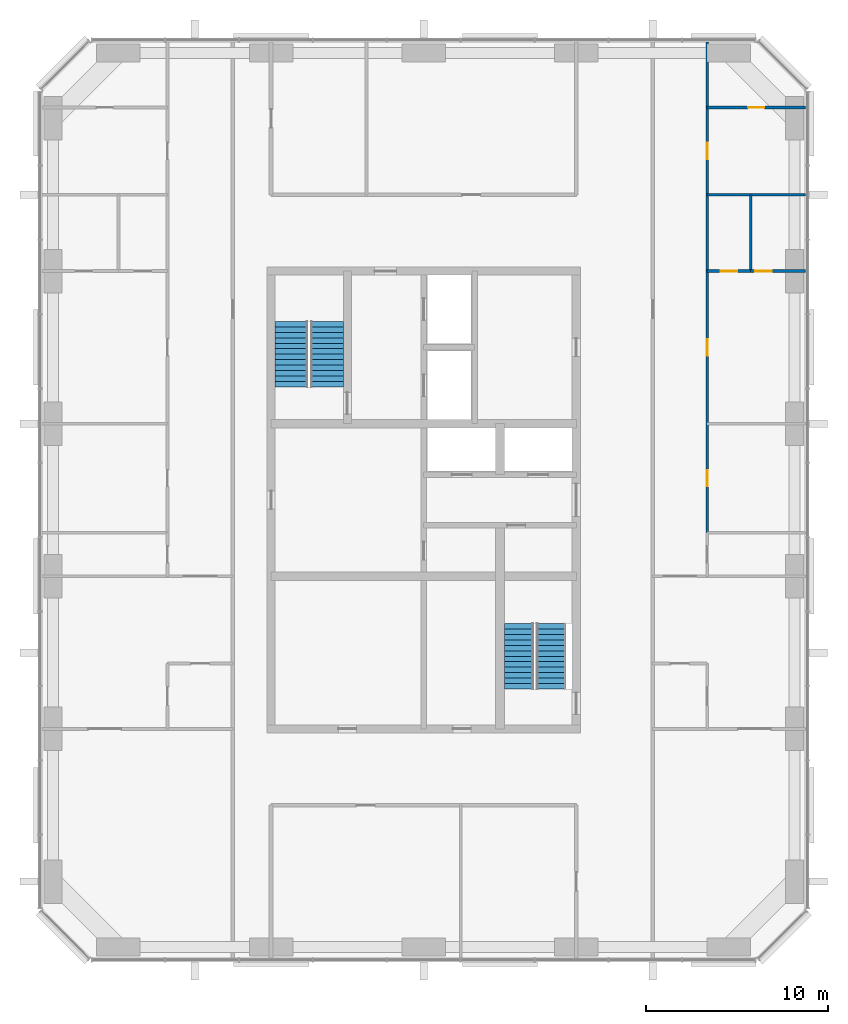
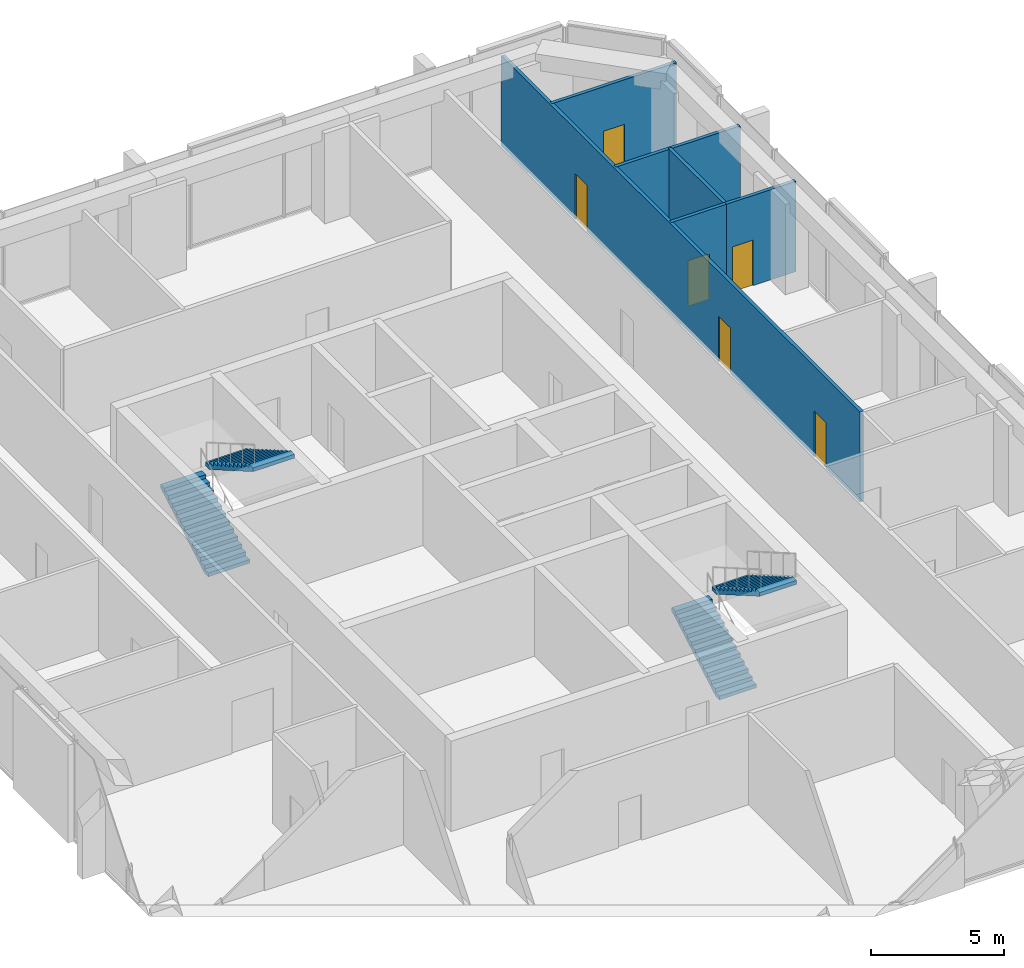
# One storey, part 9 of 10: 6 doors, 6 walls, 4 stair flights, 6 openings, 2 elements without a shape of their own.
"""IFC4 building model written with IfcOpenShell, lengths in metres."""

from ifc_helpers import new_model, si_unit, direction, frame, frame_2d, origin, place, context, subcontext, project, spatial, polyline, rectangle, outline, extrude, material, layer, layer_set, type_object, element, fill, aggregate, save


model = new_model("IFC4")

# Units and contexts
model_context = context("Model", 3, precision=1e-05, world=origin(), true_north=direction((0.0, 1.0)))
body_context = subcontext(model_context, "Body", "Model", "MODEL_VIEW")
ifc_project = project(units=[si_unit("LENGTHUNIT", "METRE"), si_unit("AREAUNIT", "SQUARE_METRE"), si_unit("VOLUMEUNIT", "CUBIC_METRE"), si_unit("PLANEANGLEUNIT", "RADIAN"), si_unit("MASSUNIT", "GRAM", prefix="KILO")], contexts=[model_context])

# Site, building, storey
site_placement = place(None, origin())
site = spatial("IfcSite", under=ifc_project, at=site_placement, CompositionType="ELEMENT")
building_placement = place(site_placement, origin())
building = spatial("IfcBuilding", under=site, at=building_placement, Name="Dunama Terrace Hotel", CompositionType="ELEMENT")
storey_placement = place(building_placement, frame((0.0, 0.0, 289.10009765625)))
storey = spatial("IfcBuildingStorey", under=building, at=storey_placement, Name="L74", CompositionType="ELEMENT", Elevation=289.10009765625)

# Wall, opening, door
ifc_material_1 = material(Name="Gypsum board partition", Category="masonry")
ifc_layer_1 = layer(ifc_material_1, 0.14990234375)
ifc_layer_set_1 = layer_set([ifc_layer_1], Name="Bathroom partition 150")
wall_type_1 = type_object("IfcWallType", Name="Bathroom partition 150", PredefinedType="PARTITIONING", material=ifc_layer_set_1)
wall_1_placement = place(storey_placement, frame((51.60009765625, 42.0, 0.0), z_axis=(0.0, 0.0, 1.0), x_axis=(1.0, 0.0, 0.0)))
wall_1 = element("IfcWall", 1, at=wall_1_placement, inside=storey, type_object=wall_type_1, Name="Bathroom partition 150 L74", PredefinedType="PARTITIONING", context=body_context, shape_type="SweptSolid", body=[
    extrude(rectangle(XDim=3.017822265625, YDim=0.14990234375, at=frame_2d((1.5087890625, 0.0))), origin(), (0.0, 0.0, 1.0), 4.14990234375),
])
opening_1_placement = place(wall_1_placement, frame((0.25, 0.0, 0.0)))
opening_1 = element("IfcOpeningElement", 2, at=opening_1_placement, cuts=wall_1, Name="Opening L74-035", PredefinedType="OPENING", context=body_context, shape_type="SweptSolid", body=[
    extrude(rectangle(XDim=0.89990234375, YDim=2.10009765625, at=frame_2d((0.449951171875, 1.050048828125))), frame((0.0, 0.0849609375, 0.0), z_axis=(0.0, -1.0, 0.0), x_axis=(1.0, 0.0, 0.0)), (0.0, 0.0, 1.0), 0.169921875),
])
ifc_material_2 = material(Name="Timber door with steel frame", Category="steel")
door_type_1 = type_object("IfcDoorType", Name="WC door 900", OperationType="SINGLE_SWING_LEFT", PredefinedType="DOOR", material=ifc_material_2)
door_1_placement = place(opening_1_placement, origin())
door_1 = element("IfcDoor", 3, at=door_1_placement, inside=storey, type_object=door_type_1, Name="Door to royal suite bathroom L74-035, type D6", OperationType="SINGLE_SWING_RIGHT", OverallHeight=2.10009765625, OverallWidth=0.89990234375, PredefinedType="DOOR", context=body_context, shape_type="SweptSolid", body=[
    extrude(rectangle(XDim=0.89990234375, YDim=2.10009765625, at=frame_2d((0.449951171875, 1.050048828125))), frame((0.0, 0.02490234375, 0.0), z_axis=(0.0, -1.0, 0.0), x_axis=(1.0, 0.0, 0.0)), (0.0, 0.0, 1.0), 0.050048828125),
])
fill(opening_1, door_1)

wall_2_placement = place(storey_placement, frame((49.199951171875, 51.0, 0.0), z_axis=(0.0, 0.0, 1.0), x_axis=(1.0, 0.0, 0.0)))
wall_2 = element("IfcWall", 4, at=wall_2_placement, inside=storey, type_object=wall_type_1, Name="Bathroom partition 150 L74", PredefinedType="PARTITIONING", context=body_context, shape_type="SweptSolid", body=[
    extrude(rectangle(XDim=5.41796875, YDim=0.14990234375, at=frame_2d((2.708984375, 0.0))), origin(), (0.0, 0.0, 1.0), 4.14990234375),
])
opening_2_placement = place(wall_2_placement, frame((2.25, 0.0, 0.0)))
opening_2 = element("IfcOpeningElement", 5, at=opening_2_placement, cuts=wall_2, Name="Opening L74-038", PredefinedType="OPENING", context=body_context, shape_type="SweptSolid", body=[
    extrude(rectangle(XDim=0.89990234375, YDim=2.10009765625, at=frame_2d((0.449951171875, 1.050048828125))), frame((0.0, 0.0849609375, 0.0), z_axis=(0.0, -1.0, 0.0), x_axis=(1.0, 0.0, 0.0)), (0.0, 0.0, 1.0), 0.169921875),
])
door_2_placement = place(opening_2_placement, origin())
door_2 = element("IfcDoor", 6, at=door_2_placement, inside=storey, type_object=door_type_1, Name="Door to royal suite second bathroom L74-038, type D6", OperationType="SINGLE_SWING_RIGHT", OverallHeight=2.10009765625, OverallWidth=0.89990234375, PredefinedType="DOOR", context=body_context, shape_type="SweptSolid", body=[
    extrude(rectangle(XDim=0.89990234375, YDim=2.10009765625, at=frame_2d((0.449951171875, 1.050048828125))), frame((0.0, 0.02490234375, 0.0), z_axis=(0.0, -1.0, 0.0), x_axis=(1.0, 0.0, 0.0)), (0.0, 0.0, 1.0), 0.050048828125),
])
fill(opening_2, door_2)

# Wall, openings, doors
ifc_material_3 = material(Name="Gypsum board partition", Category="masonry")
ifc_layer_2 = layer(ifc_material_3, 0.14990234375)
ifc_layer_set_2 = layer_set([ifc_layer_2], Name="Room partition 150")
wall_type_2 = type_object("IfcWallType", Name="Room partition 150", PredefinedType="PARTITIONING", material=ifc_layer_set_2)
wall_3_placement = place(storey_placement, frame((49.199951171875, 27.60009765625, 0.0), z_axis=(0.0, 0.0, 1.0), x_axis=(0.0, 1.0, 0.0)))
wall_3 = element("IfcWall", 7, at=wall_3_placement, inside=storey, type_object=wall_type_2, Name="Room partition 150 L74", PredefinedType="PARTITIONING", context=body_context, shape_type="SweptSolid", body=[
    extrude(rectangle(XDim=27.017822265625, YDim=0.14990234375, at=frame_2d((13.5087890625, 0.0))), origin(), (0.0, 0.0, 1.0), 4.14990234375),
])
opening_3_placement = place(wall_3_placement, frame((2.550048828125, 0.0, 0.0)))
opening_3 = element("IfcOpeningElement", 8, at=opening_3_placement, cuts=wall_3, Name="Opening L74-033", PredefinedType="OPENING", context=body_context, shape_type="SweptSolid", body=[
    extrude(rectangle(XDim=0.89990234375, YDim=2.10009765625, at=frame_2d((0.449951171875, 1.050048828125))), frame((0.0, 0.0849609375, 0.0), z_axis=(0.0, -1.0, 0.0), x_axis=(1.0, 0.0, 0.0)), (0.0, 0.0, 1.0), 0.169921875),
])
opening_4_placement = place(wall_3_placement, frame((9.75, 0.0, 0.0)))
opening_4 = element("IfcOpeningElement", 9, at=opening_4_placement, cuts=wall_3, Name="Opening L74-034", PredefinedType="OPENING", context=body_context, shape_type="SweptSolid", body=[
    extrude(rectangle(XDim=0.89990234375, YDim=2.10009765625, at=frame_2d((0.449951171875, 1.050048828125))), frame((0.0, 0.0849609375, 0.0), z_axis=(0.0, -1.0, 0.0), x_axis=(1.0, 0.0, 0.0)), (0.0, 0.0, 1.0), 0.169921875),
])
opening_5_placement = place(wall_3_placement, frame((20.550048828125, 0.0, 0.0)))
opening_5 = element("IfcOpeningElement", 10, at=opening_5_placement, cuts=wall_3, Name="Opening L74-037", PredefinedType="OPENING", context=body_context, shape_type="SweptSolid", body=[
    extrude(rectangle(XDim=0.89990234375, YDim=2.10009765625, at=frame_2d((0.449951171875, 1.050048828125))), frame((0.0, 0.0849609375, 0.0), z_axis=(0.0, -1.0, 0.0), x_axis=(1.0, 0.0, 0.0)), (0.0, 0.0, 1.0), 0.169921875),
])
ifc_material_4 = material(Name="Timber door with steel frame", Category="steel")
door_type_2 = type_object("IfcDoorType", Name="Suite internal door 900", OperationType="SINGLE_SWING_LEFT", PredefinedType="DOOR", material=ifc_material_4)
door_3_placement = place(opening_3_placement, frame((0.89990234375, 0.0, 0.0), z_axis=(0.0, 0.0, 1.0), x_axis=(-1.0, 0.0, 0.0)))
door_3 = element("IfcDoor", 11, at=door_3_placement, inside=storey, type_object=door_type_2, Name="Door to royal suite fitness room L74-033, type D16", OperationType="SINGLE_SWING_LEFT", OverallHeight=2.10009765625, OverallWidth=0.89990234375, PredefinedType="DOOR", context=body_context, shape_type="SweptSolid", body=[
    extrude(rectangle(XDim=0.89990234375, YDim=2.10009765625, at=frame_2d((0.449951171875, 1.050048828125))), frame((0.0, 0.025146484375, 0.0), z_axis=(0.0, -1.0, 0.0), x_axis=(1.0, 0.0, 0.0)), (0.0, 0.0, 1.0), 0.050048828125),
])
fill(opening_3, door_3)
door_4_placement = place(opening_4_placement, frame((0.89990234375, 0.0, 0.0), z_axis=(0.0, 0.0, 1.0), x_axis=(-1.0, 0.0, 0.0)))
door_4 = element("IfcDoor", 12, at=door_4_placement, inside=storey, type_object=door_type_2, Name="Door to royal suite bedroom L74-034, type D16", OperationType="SINGLE_SWING_RIGHT", OverallHeight=2.10009765625, OverallWidth=0.89990234375, PredefinedType="DOOR", context=body_context, shape_type="SweptSolid", body=[
    extrude(rectangle(XDim=0.89990234375, YDim=2.10009765625, at=frame_2d((0.449951171875, 1.050048828125))), frame((0.0, 0.025146484375, 0.0), z_axis=(0.0, -1.0, 0.0), x_axis=(1.0, 0.0, 0.0)), (0.0, 0.0, 1.0), 0.050048828125),
])
fill(opening_4, door_4)
door_5_placement = place(opening_5_placement, frame((0.89990234375, 0.0, 0.0), z_axis=(0.0, 0.0, 1.0), x_axis=(-1.0, 0.0, 0.0)))
door_5 = element("IfcDoor", 13, at=door_5_placement, inside=storey, type_object=door_type_2, Name="Door to royal suite second bedroom L74-037, type D16", OperationType="SINGLE_SWING_LEFT", OverallHeight=2.10009765625, OverallWidth=0.89990234375, PredefinedType="DOOR", context=body_context, shape_type="SweptSolid", body=[
    extrude(rectangle(XDim=0.89990234375, YDim=2.10009765625, at=frame_2d((0.449951171875, 1.050048828125))), frame((0.0, 0.025146484375, 0.0), z_axis=(0.0, -1.0, 0.0), x_axis=(1.0, 0.0, 0.0)), (0.0, 0.0, 1.0), 0.050048828125),
])
fill(opening_5, door_5)

# Wall
wall_4_placement = place(storey_placement, frame((51.60009765625, 42.0, 0.0), z_axis=(0.0, 0.0, 1.0), x_axis=(0.0, 1.0, 0.0)))
element("IfcWall", 14, at=wall_4_placement, inside=storey, type_object=wall_type_2, Name="Room partition 150 L74", PredefinedType="PARTITIONING", context=body_context, shape_type="SweptSolid", body=[
    extrude(rectangle(XDim=4.199951171875, YDim=0.14990234375, at=frame_2d((2.10009765625, 0.0))), origin(), (0.0, 0.0, 1.0), 4.14990234375),
])

# Wall, opening, door
wall_5_placement = place(storey_placement, frame((49.199951171875, 42.0, 0.0), z_axis=(0.0, 0.0, 1.0), x_axis=(1.0, 0.0, 0.0)))
wall_5 = element("IfcWall", 15, at=wall_5_placement, inside=storey, type_object=wall_type_2, Name="Room partition 150 L74", PredefinedType="PARTITIONING", context=body_context, shape_type="SweptSolid", body=[
    extrude(rectangle(XDim=2.400146484375, YDim=0.14990234375, at=frame_2d((1.2001953125, 0.0))), origin(), (0.0, 0.0, 1.0), 4.14990234375),
])
opening_6_placement = place(wall_5_placement, frame((0.75, 0.0, 0.0)))
opening_6 = element("IfcOpeningElement", 16, at=opening_6_placement, cuts=wall_5, Name="Opening L74-036", PredefinedType="OPENING", context=body_context, shape_type="SweptSolid", body=[
    extrude(rectangle(XDim=0.89990234375, YDim=2.10009765625, at=frame_2d((0.449951171875, 1.050048828125))), frame((0.0, 0.0849609375, 0.0), z_axis=(0.0, -1.0, 0.0), x_axis=(1.0, 0.0, 0.0)), (0.0, 0.0, 1.0), 0.169921875),
])
door_6_placement = place(opening_6_placement, origin())
door_6 = element("IfcDoor", 17, at=door_6_placement, inside=storey, type_object=door_type_2, Name="Door to royal suite dressing room L74-036, type D16", OperationType="SINGLE_SWING_LEFT", OverallHeight=2.10009765625, OverallWidth=0.89990234375, PredefinedType="DOOR", context=body_context, shape_type="SweptSolid", body=[
    extrude(rectangle(XDim=0.89990234375, YDim=2.10009765625, at=frame_2d((0.449951171875, 1.050048828125))), frame((0.0, 0.02490234375, 0.0), z_axis=(0.0, -1.0, 0.0), x_axis=(1.0, 0.0, 0.0)), (0.0, 0.0, 1.0), 0.050048828125),
])
fill(opening_6, door_6)

# Wall
wall_6_placement = place(storey_placement, frame((49.199951171875, 46.199951171875, 0.0), z_axis=(0.0, 0.0, 1.0), x_axis=(1.0, 0.0, 0.0)))
element("IfcWall", 18, at=wall_6_placement, inside=storey, type_object=wall_type_2, Name="Room partition 150 L74", PredefinedType="PARTITIONING", context=body_context, shape_type="SweptSolid", body=[
    extrude(rectangle(XDim=5.41796875, YDim=0.14990234375, at=frame_2d((2.708984375, 0.0))), origin(), (0.0, 0.0, 1.0), 4.14990234375),
])

# Stair, stair flights
ifc_material_5 = material(Name="Concrete C40/50", Category="concrete")
stair_type_1 = type_object("IfcStairType", Name="Stair ST1-4500-1800", PredefinedType="HALF_TURN_STAIR", material=ifc_material_5)
stair_1_placement = place(storey_placement, origin())
stair_1 = element("IfcStair", 19, at=stair_1_placement, inside=storey, type_object=stair_type_1, Name="Stair ST1 L74", PredefinedType="HALF_TURN_STAIR")
ifc_material_6 = material(Name="Concrete C40/50", Category="concrete")
stair_flight_type_1 = type_object("IfcStairFlightType", Name="Stair flight ST1-4500-1800", PredefinedType="STRAIGHT", material=ifc_material_6)
stair_flight_1_placement = place(storey_placement, frame((26.324951171875, 35.625, 0.0), z_axis=(0.0, 0.0, 1.0), x_axis=(0.0, 1.0, 0.0)))
stair_flight_1 = element("IfcStairFlight", 20, at=stair_flight_1_placement, type_object=stair_flight_type_1, Name="ST1 flight 1", NumberOfRisers=13, NumberOfTreads=12, PredefinedType="STRAIGHT", RiserHeight=0.173076923, TreadLength=0.3, context=body_context, shape_type="SweptSolid", body=[
    extrude(outline(polyline([(0.0, 0.0), (0.0, 0.173095703125), (0.300048828125, 0.173095703125), (0.300048828125, 0.34619140625), (0.60009765625, 0.34619140625), (0.60009765625, 0.519287109375), (0.89990234375, 0.519287109375), (0.89990234375, 0.6923828125), (1.199951171875, 0.6923828125), (1.199951171875, 0.865478515625), (1.5, 0.865478515625), (1.5, 1.03857421875), (1.800048828125, 1.03857421875), (1.800048828125, 1.21142578125), (2.10009765625, 1.21142578125), (2.10009765625, 1.384521484375), (2.39990234375, 1.384521484375), (2.39990234375, 1.5576171875), (2.699951171875, 1.5576171875), (2.699951171875, 1.730712890625), (3.0, 1.730712890625), (3.0, 1.90380859375), (3.300048828125, 1.90380859375), (3.300048828125, 2.076904296875), (3.60009765625, 2.076904296875), (3.60009765625, 2.25), (3.60009765625, 1.90380859375), (0.300048828125, 0.0), (0.0, 0.0)])), frame((0.0, 0.89990234375, 0.0), z_axis=(0.0, -1.0, 0.0), x_axis=(1.0, 0.0, 0.0)), (0.0, 0.0, 1.0), 1.800048828125),
])
stair_flight_2_placement = place(storey_placement, frame((28.27490234375, 39.22509765625, 2.25), z_axis=(0.0, 0.0, 1.0), x_axis=(0.0, -1.0, 0.0)))
stair_flight_2 = element("IfcStairFlight", 21, at=stair_flight_2_placement, type_object=stair_flight_type_1, Name="ST1 flight 2", NumberOfRisers=13, NumberOfTreads=12, PredefinedType="STRAIGHT", RiserHeight=0.173076923, TreadLength=0.3, context=body_context, shape_type="SweptSolid", body=[
    extrude(outline(polyline([(0.0, 0.0), (0.0, 0.173095703125), (0.300048828125, 0.173095703125), (0.300048828125, 0.34619140625), (0.60009765625, 0.34619140625), (0.60009765625, 0.519287109375), (0.89990234375, 0.519287109375), (0.89990234375, 0.6923828125), (1.199951171875, 0.6923828125), (1.199951171875, 0.865478515625), (1.5, 0.865478515625), (1.5, 1.03857421875), (1.800048828125, 1.03857421875), (1.800048828125, 1.21142578125), (2.10009765625, 1.21142578125), (2.10009765625, 1.384521484375), (2.39990234375, 1.384521484375), (2.39990234375, 1.5576171875), (2.699951171875, 1.5576171875), (2.699951171875, 1.730712890625), (3.0, 1.730712890625), (3.0, 1.90380859375), (3.300048828125, 1.90380859375), (3.300048828125, 2.076904296875), (3.60009765625, 2.076904296875), (3.60009765625, 2.25), (3.60009765625, 1.90380859375), (0.300048828125, 0.0), (0.0, 0.0)])), frame((0.0, 0.89990234375, 0.0), z_axis=(0.0, -1.0, 0.0), x_axis=(1.0, 0.0, 0.0)), (0.0, 0.0, 1.0), 1.800048828125),
])
aggregate(stair_1, [stair_flight_1, stair_flight_2])

ifc_material_7 = material(Name="Concrete C40/50", Category="concrete")
stair_type_2 = type_object("IfcStairType", Name="Stair ST2-4500-1600", PredefinedType="HALF_TURN_STAIR", material=ifc_material_7)
stair_2_placement = place(storey_placement, origin())
stair_2 = element("IfcStair", 22, at=stair_2_placement, inside=storey, type_object=stair_type_2, Name="Stair ST2 L74", PredefinedType="HALF_TURN_STAIR")
ifc_material_8 = material(Name="Concrete C40/50", Category="concrete")
stair_flight_type_2 = type_object("IfcStairFlightType", Name="Stair flight ST2-4500-1600", PredefinedType="STRAIGHT", material=ifc_material_8)
stair_flight_3_placement = place(storey_placement, frame((38.85009765625, 19.0, 0.0), z_axis=(0.0, 0.0, 1.0), x_axis=(0.0, 1.0, 0.0)))
stair_flight_3 = element("IfcStairFlight", 23, at=stair_flight_3_placement, type_object=stair_flight_type_2, Name="ST2 flight 1", NumberOfRisers=13, NumberOfTreads=12, PredefinedType="STRAIGHT", RiserHeight=0.173076923, TreadLength=0.3, context=body_context, shape_type="SweptSolid", body=[
    extrude(outline(polyline([(0.0, 0.0), (0.0, 0.173095703125), (0.300048828125, 0.173095703125), (0.300048828125, 0.34619140625), (0.60009765625, 0.34619140625), (0.60009765625, 0.519287109375), (0.89990234375, 0.519287109375), (0.89990234375, 0.6923828125), (1.199951171875, 0.6923828125), (1.199951171875, 0.865478515625), (1.5, 0.865478515625), (1.5, 1.03857421875), (1.800048828125, 1.03857421875), (1.800048828125, 1.21142578125), (2.10009765625, 1.21142578125), (2.10009765625, 1.384521484375), (2.39990234375, 1.384521484375), (2.39990234375, 1.5576171875), (2.699951171875, 1.5576171875), (2.699951171875, 1.730712890625), (3.0, 1.730712890625), (3.0, 1.90380859375), (3.300048828125, 1.90380859375), (3.300048828125, 2.076904296875), (3.60009765625, 2.076904296875), (3.60009765625, 2.25), (3.60009765625, 1.90380859375), (0.300048828125, 0.0), (0.0, 0.0)])), frame((0.0, 0.800048828125, 0.0), z_axis=(0.0, -1.0, 0.0), x_axis=(1.0, 0.0, 0.0)), (0.0, 0.0, 1.0), 1.60009765625),
])
stair_flight_4_placement = place(storey_placement, frame((40.60009765625, 22.60009765625, 2.25), z_axis=(0.0, 0.0, 1.0), x_axis=(0.0, -1.0, 0.0)))
stair_flight_4 = element("IfcStairFlight", 24, at=stair_flight_4_placement, type_object=stair_flight_type_2, Name="ST2 flight 2", NumberOfRisers=13, NumberOfTreads=12, PredefinedType="STRAIGHT", RiserHeight=0.173076923, TreadLength=0.3, context=body_context, shape_type="SweptSolid", body=[
    extrude(outline(polyline([(0.0, 0.0), (0.0, 0.173095703125), (0.300048828125, 0.173095703125), (0.300048828125, 0.34619140625), (0.60009765625, 0.34619140625), (0.60009765625, 0.519287109375), (0.89990234375, 0.519287109375), (0.89990234375, 0.6923828125), (1.199951171875, 0.6923828125), (1.199951171875, 0.865478515625), (1.5, 0.865478515625), (1.5, 1.03857421875), (1.800048828125, 1.03857421875), (1.800048828125, 1.21142578125), (2.10009765625, 1.21142578125), (2.10009765625, 1.384521484375), (2.39990234375, 1.384521484375), (2.39990234375, 1.5576171875), (2.699951171875, 1.5576171875), (2.699951171875, 1.730712890625), (3.0, 1.730712890625), (3.0, 1.90380859375), (3.300048828125, 1.90380859375), (3.300048828125, 2.076904296875), (3.60009765625, 2.076904296875), (3.60009765625, 2.25), (3.60009765625, 1.90380859375), (0.300048828125, 0.0), (0.0, 0.0)])), frame((0.0, 0.800048828125, 0.0), z_axis=(0.0, -1.0, 0.0), x_axis=(1.0, 0.0, 0.0)), (0.0, 0.0, 1.0), 1.60009765625),
])
aggregate(stair_2, [stair_flight_3, stair_flight_4])

save(model, "model.ifc")
